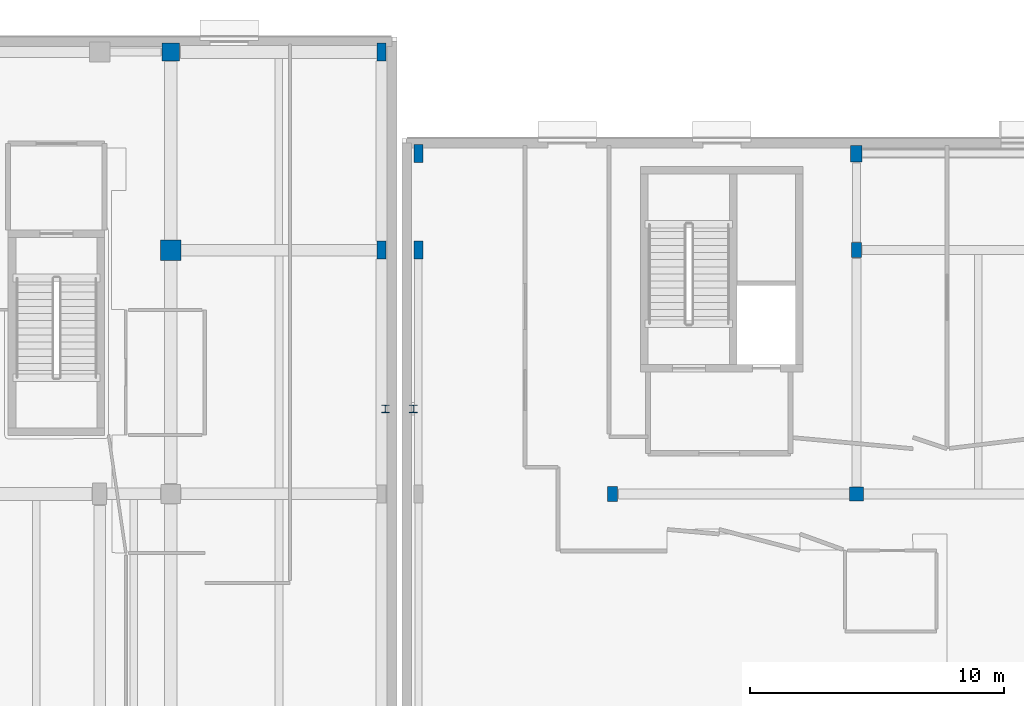
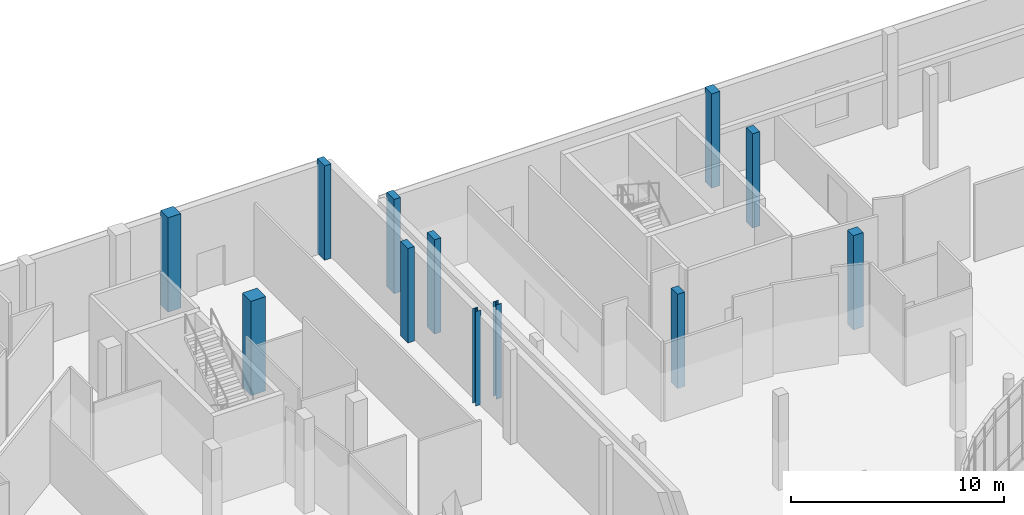
# One storey, part 6 of 84: 12 columns.
"""IFC4 building model written with IfcOpenShell, lengths in metres."""

from ifc_helpers import new_model, si_unit, direction, frame, origin, origin_2d, place, context, subcontext, project, spatial, rectangle, i_section, extrude, material, material_profile, profile_set, type_object, element, save


model = new_model("IFC4")

# Units and contexts
model_context = context("Model", 3, precision=1e-05, world=origin(), true_north=direction((0.0, 1.0)))
body_context = subcontext(model_context, "Body", "Model", "MODEL_VIEW")
ifc_project = project(units=[si_unit("LENGTHUNIT", "METRE"), si_unit("AREAUNIT", "SQUARE_METRE"), si_unit("VOLUMEUNIT", "CUBIC_METRE"), si_unit("PLANEANGLEUNIT", "RADIAN"), si_unit("MASSUNIT", "GRAM", prefix="KILO")], contexts=[model_context])

# Site, building, storey
site_placement = place(None, origin())
site = spatial("IfcSite", under=ifc_project, at=site_placement, CompositionType="ELEMENT")
building_placement = place(site_placement, origin())
building = spatial("IfcBuilding", under=site, at=building_placement, Name="Mzevani Central Library", CompositionType="ELEMENT")
storey_placement = place(building_placement, origin())
storey = spatial("IfcBuildingStorey", under=building, at=storey_placement, Name="L00", CompositionType="ELEMENT", Elevation=0.0)

# Columns
ifc_material_1 = material(Name="Steel S355J2", Category="steel")
ifc_material_profile_1 = material_profile(ifc_material_1, i_section(OverallWidth=0.300048828125, OverallDepth=0.300048828125, WebThickness=0.010986328125, FlangeThickness=0.01904296875, FilletRadius=0.027099609375, at=origin_2d()), Name="HEB 300")
ifc_profile_set_1 = profile_set([ifc_material_profile_1], Name="Steel S355J2")
column_type_1 = type_object("IfcColumnType", Name="Atrium Steel Column HEB 300", PredefinedType="COLUMN", material=ifc_profile_set_1)
for number, where, z_axis, x_axis, name in (
    (1, (45.449951171875, 103.35009765625, 0.0), (0.0, 0.0, 1.0), (1.0, 0.0, 0.0), "L00 Seismic Joint Corbel Column 4"),
    (2, (46.550048828125, 103.35009765625, 0.0), (0.0, 0.0, 1.0), (1.0, 0.0, 0.0), "L00 Seismic Joint Corbel Column 6"),
):
    element("IfcColumn", number, at=place(storey_placement, frame(where, z_axis=z_axis, x_axis=x_axis)), inside=storey, type_object=column_type_1, Name=name, PredefinedType="COLUMN", context=body_context, shape_type="SweptSolid", body=[
        extrude(i_section(OverallWidth=0.300048828125, OverallDepth=0.300048828125, WebThickness=0.010986328125, FlangeThickness=0.01904296875, FilletRadius=0.027099609375, at=origin_2d()), origin(), (0.0, 0.0, 1.0), 5.39990234375),
    ])
ifc_material_2 = material(Name="Concrete C40/50", Category="concrete")
ifc_material_profile_2 = material_profile(ifc_material_2, rectangle(XDim=0.39990234375, YDim=0.60009765625, at=origin_2d()), Name="RC 400x600")
ifc_profile_set_2 = profile_set([ifc_material_profile_2], Name="Concrete C40/50")
column_type_2 = type_object("IfcColumnType", Name="Column RC 400x600", PredefinedType="COLUMN", material=ifc_profile_set_2)
for number, where, z_axis, x_axis, name in (
    (3, (54.39990234375, 100.0, 0.0), (0.0, 0.0, 1.0), (1.0, 0.0, 0.0), "L00 V3 Column C-11 (109)"),
    (4, (64.0, 109.60009765625, 0.0), (0.0, 0.0, 1.0), (1.0, 0.0, 0.0), "L00 V3 Column C-11 (112)"),
):
    element("IfcColumn", number, at=place(storey_placement, frame(where, z_axis=z_axis, x_axis=x_axis)), inside=storey, type_object=column_type_2, Name=name, PredefinedType="COLUMN", context=body_context, shape_type="SweptSolid", body=[
        extrude(rectangle(XDim=0.39990234375, YDim=0.60009765625, at=origin_2d()), origin(), (0.0, 0.0, 1.0), 5.39990234375),
    ])
ifc_material_profile_3 = material_profile(ifc_material_2, rectangle(XDim=0.449951171875, YDim=0.64990234375, at=origin_2d()), Name="RC 450x650")
ifc_profile_set_3 = profile_set([ifc_material_profile_3], Name="Concrete C40/50")
column_type_3 = type_object("IfcColumnType", Name="Column RC 450x650", PredefinedType="COLUMN", material=ifc_profile_set_3)
column_1_placement = place(storey_placement, frame((64.0, 113.39990234375, 0.0), z_axis=(0.0, 0.0, 1.0), x_axis=(1.0, 0.0, 0.0)))
element("IfcColumn", 5, at=column_1_placement, inside=storey, type_object=column_type_3, Name="L00 V3 Column C-12 (113)", PredefinedType="COLUMN", context=body_context, shape_type="SweptSolid", body=[
    extrude(rectangle(XDim=0.449951171875, YDim=0.64990234375, at=origin_2d()), origin(), (0.0, 0.0, 1.0), 5.39990234375),
])
ifc_material_profile_4 = material_profile(ifc_material_2, rectangle(XDim=0.550048828125, YDim=0.550048828125, at=origin_2d()), Name="RC 550x550")
ifc_profile_set_4 = profile_set([ifc_material_profile_4], Name="Concrete C40/50")
column_type_4 = type_object("IfcColumnType", Name="Column RC 550x550", PredefinedType="COLUMN", material=ifc_profile_set_4)
column_2_placement = place(storey_placement, frame((64.0, 100.0, 0.0), z_axis=(0.0, 0.0, 1.0), x_axis=(1.0, 0.0, 0.0)))
element("IfcColumn", 6, at=column_2_placement, inside=storey, type_object=column_type_4, Name="L00 V3 Column C-05 (111)", PredefinedType="COLUMN", context=body_context, shape_type="SweptSolid", body=[
    extrude(rectangle(XDim=0.550048828125, YDim=0.550048828125, at=origin_2d()), origin(), (0.0, 0.0, 1.0), 5.39990234375),
])
ifc_material_profile_5 = material_profile(ifc_material_2, rectangle(XDim=0.699951171875, YDim=0.699951171875, at=origin_2d()), Name="RC 700x700")
ifc_profile_set_5 = profile_set([ifc_material_profile_5], Name="Concrete C40/50")
column_type_5 = type_object("IfcColumnType", Name="Column RC 700x700", PredefinedType="COLUMN", material=ifc_profile_set_5)
column_3_placement = place(storey_placement, frame((37.0, 117.39990234375, 0.0), z_axis=(0.0, 0.0, 1.0), x_axis=(1.0, 0.0, 0.0)))
element("IfcColumn", 7, at=column_3_placement, inside=storey, type_object=column_type_5, Name="L00 V2 Column C-08 (93)", PredefinedType="COLUMN", context=body_context, shape_type="SweptSolid", body=[
    extrude(rectangle(XDim=0.699951171875, YDim=0.699951171875, at=origin_2d()), origin(), (0.0, 0.0, 1.0), 5.39990234375),
])
ifc_material_profile_6 = material_profile(ifc_material_2, rectangle(XDim=0.800048828125, YDim=0.800048828125, at=origin_2d()), Name="RC 800x800")
ifc_profile_set_6 = profile_set([ifc_material_profile_6], Name="Concrete C40/50")
column_type_6 = type_object("IfcColumnType", Name="Column RC 800x800", PredefinedType="COLUMN", material=ifc_profile_set_6)
column_4_placement = place(storey_placement, frame((37.0, 109.60009765625, 0.0), z_axis=(0.0, 0.0, 1.0), x_axis=(1.0, 0.0, 0.0)))
element("IfcColumn", 8, at=column_4_placement, inside=storey, type_object=column_type_6, Name="L00 V2 Column C-10 (92)", PredefinedType="COLUMN", context=body_context, shape_type="SweptSolid", body=[
    extrude(rectangle(XDim=0.800048828125, YDim=0.800048828125, at=origin_2d()), origin(), (0.0, 0.0, 1.0), 5.39990234375),
])
ifc_material_profile_7 = material_profile(ifc_material_2, rectangle(XDim=0.35009765625, YDim=0.699951171875, at=origin_2d()), Name="RC 350x700")
ifc_profile_set_7 = profile_set([ifc_material_profile_7], Name="Concrete C40/50")
column_type_7 = type_object("IfcColumnType", Name="Joint Twin Column RC 350x700", PredefinedType="COLUMN", material=ifc_profile_set_7)
for number, where, z_axis, x_axis, name in (
    (9, (45.300048828125, 109.60009765625, 0.0), (0.0, 0.0, 1.0), (1.0, 0.0, 0.0), "L00 V2 Column C-18 (98)"),
    (10, (45.300048828125, 117.39990234375, 0.0), (0.0, 0.0, 1.0), (1.0, 0.0, 0.0), "L00 V2 Column C-18 (99)"),
    (11, (46.75, 109.60009765625, 0.0), (0.0, 0.0, 1.0), (1.0, 0.0, 0.0), "L00 V3 Column C-18 (104)"),
    (12, (46.75, 113.39990234375, 0.0), (0.0, 0.0, 1.0), (1.0, 0.0, 0.0), "L00 V3 Column C-18 (105)"),
):
    element("IfcColumn", number, at=place(storey_placement, frame(where, z_axis=z_axis, x_axis=x_axis)), inside=storey, type_object=column_type_7, Name=name, PredefinedType="COLUMN", context=body_context, shape_type="SweptSolid", body=[
        extrude(rectangle(XDim=0.35009765625, YDim=0.699951171875, at=origin_2d()), origin(), (0.0, 0.0, 1.0), 5.39990234375),
    ])

save(model, "model.ifc")
